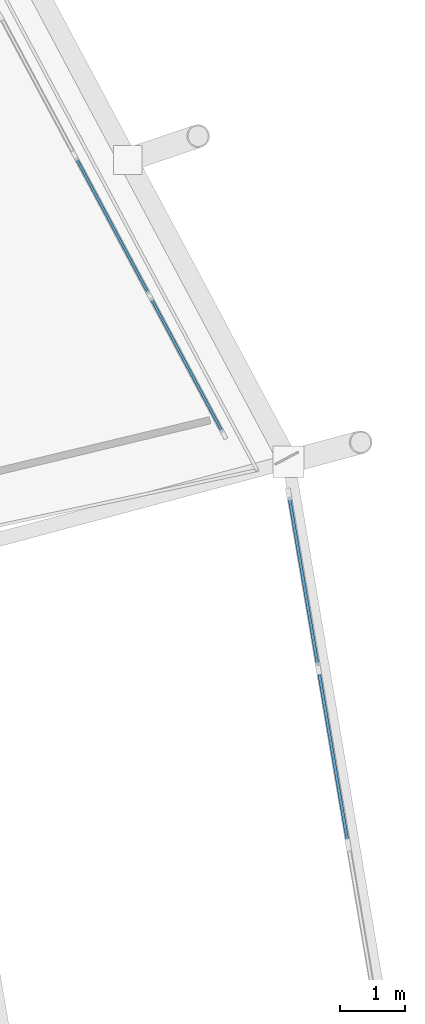
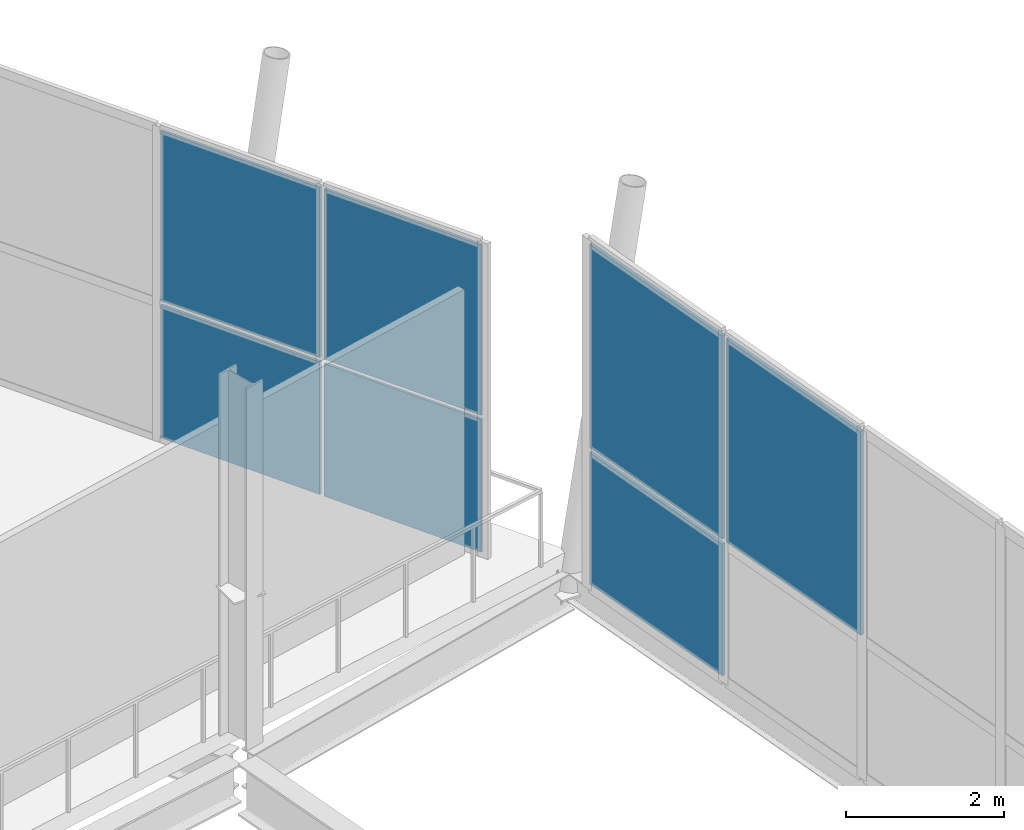
# One storey, part 59 of 99: 7 plates, 2 elements without a shape of their own.
"""IFC4 building model written with IfcOpenShell, lengths in metres."""

from ifc_helpers import new_model, si_unit, direction, frame, origin, origin_2d, place, context, subcontext, project, spatial, rectangle, extrude, material, layer, layer_set, type_object, element, aggregate, save


model = new_model("IFC4")

# Units and contexts
model_context = context("Model", 3, precision=1e-05, world=origin(), true_north=direction((0.0, 1.0)))
body_context = subcontext(model_context, "Body", "Model", "MODEL_VIEW")
ifc_project = project(units=[si_unit("LENGTHUNIT", "METRE"), si_unit("AREAUNIT", "SQUARE_METRE"), si_unit("VOLUMEUNIT", "CUBIC_METRE"), si_unit("PLANEANGLEUNIT", "RADIAN"), si_unit("MASSUNIT", "GRAM", prefix="KILO")], contexts=[model_context])

# Site, building, storey
site_placement = place(None, origin())
site = spatial("IfcSite", under=ifc_project, at=site_placement, CompositionType="ELEMENT")
building_placement = place(site_placement, origin())
building = spatial("IfcBuilding", under=site, at=building_placement, Name="Zlatoyarsky Gate Stadium", CompositionType="ELEMENT")
storey_placement = place(building_placement, frame((0.0, 0.0, 26.199951171875)))
storey = spatial("IfcBuildingStorey", under=building, at=storey_placement, Name="L05", CompositionType="ELEMENT", Elevation=26.199951171875)

# Curtain wall, plates
ifc_material_1 = material(Name="Thermally broken anodised aluminium curtain wall", Category="aluminium")
curtain_wall_type_1 = type_object("IfcCurtainWallType", Name="MONUMENTAL ARCHED GATE GLAZING UPPER", PredefinedType="USERDEFINED", material=ifc_material_1)
curtain_wall_1_placement = place(storey_placement, origin())
curtain_wall_1 = element("IfcCurtainWall", 1, at=curtain_wall_1_placement, inside=storey, type_object=curtain_wall_type_1, Name="Curtain wall CW-L05-00", ObjectType="ARCHED GATE GLAZING", PredefinedType="USERDEFINED")
ifc_material_2 = material(Name="Triple-glazed argon low-e architectural glass", Category="glass")
ifc_layer_1 = layer(ifc_material_2, 0.0458984375)
ifc_layer_set_1 = layer_set([ifc_layer_1], Name="Triple-glazed argon low-e architectural glass")
plate_type_1 = type_object("IfcPlateType", Name="ACOUSTIC LAMINATED GATE GLAZING PANEL 46", PredefinedType="CURTAIN_PANEL", material=ifc_layer_set_1)
plate_1_placement = place(storey_placement, frame((207.19580078125, 95.364013671875, 1.927490234375), z_axis=(0.0, 0.0, 1.0), x_axis=(-0.166995052945, 0.985957733522, 0.0)))
plate_1 = element("IfcPlate", 2, at=plate_1_placement, type_object=plate_type_1, Name="CW-AG2 panel 6.2", PredefinedType="CURTAIN_PANEL", context=body_context, shape_type="SweptSolid", body=[
    extrude(rectangle(XDim=2.676513671875, YDim=0.0458984375, at=origin_2d()), origin(), (0.0, 0.0, 1.0), 3.1474609375),
])
plate_2_placement = place(storey_placement, frame((206.739501953125, 98.058349609375, -0.18505859375), z_axis=(0.0, 0.0, 1.0), x_axis=(-0.166995052945, 0.985957733522, 0.0)))
plate_2 = element("IfcPlate", 3, at=plate_2_placement, type_object=plate_type_1, Name="CW-AG2 panel 7.1", PredefinedType="CURTAIN_PANEL", context=body_context, shape_type="SweptSolid", body=[
    extrude(rectangle(XDim=2.638916015625, YDim=0.0458984375, at=origin_2d()), origin(), (0.0, 0.0, 1.0), 2.03759765625),
])
plate_3_placement = place(storey_placement, frame((206.739501953125, 98.058349609375, 1.927490234375), z_axis=(0.0, 0.0, 1.0), x_axis=(-0.166995052945, 0.985957733522, 0.0)))
plate_3 = element("IfcPlate", 4, at=plate_3_placement, type_object=plate_type_1, Name="CW-AG2 panel 7.2", PredefinedType="CURTAIN_PANEL", context=body_context, shape_type="SweptSolid", body=[
    extrude(rectangle(XDim=2.638916015625, YDim=0.0458984375, at=origin_2d()), origin(), (0.0, 0.0, 1.0), 3.1474609375),
])
aggregate(curtain_wall_1, [plate_1, plate_2, plate_3])

curtain_wall_type_2 = type_object("IfcCurtainWallType", Name="UNITISED SKYBOX RING GLAZING L05", PredefinedType="USERDEFINED", material=ifc_material_1)
curtain_wall_2_placement = place(storey_placement, origin())
curtain_wall_2 = element("IfcCurtainWall", 5, at=curtain_wall_2_placement, inside=storey, type_object=curtain_wall_type_2, Name="Curtain wall CW-L05-01", ObjectType="UNITISED GLAZING", PredefinedType="USERDEFINED")
ifc_layer_2 = layer(ifc_material_2, 0.0380859375)
ifc_layer_set_2 = layer_set([ifc_layer_2], Name="Triple-glazed argon low-e architectural glass")
plate_type_2 = type_object("IfcPlateType", Name="TRIPLE GLAZED LOW E CURTAIN PANEL 38", PredefinedType="CURTAIN_PANEL", material=ifc_layer_set_2)
plate_4_placement = place(storey_placement, frame((204.9443359375, 101.380615234375, 0.06494140625), z_axis=(0.0, 0.0, 1.0), x_axis=(-0.470937199667, 0.882166738191, 0.0)))
plate_4 = element("IfcPlate", 6, at=plate_4_placement, type_object=plate_type_2, Name="CW-UG5 panel 1.1", PredefinedType="CURTAIN_PANEL", context=body_context, shape_type="SweptSolid", body=[
    extrude(rectangle(XDim=2.34326171875, YDim=0.0380859375, at=origin_2d()), origin(), (0.0, 0.0, 1.0), 2.052490234375),
])
plate_5_placement = place(storey_placement, frame((204.9443359375, 101.380615234375, 2.1826171875), z_axis=(0.0, 0.0, 1.0), x_axis=(-0.470937199667, 0.882166738191, 0.0)))
plate_5 = element("IfcPlate", 7, at=plate_5_placement, type_object=plate_type_2, Name="CW-UG5 panel 1.2", PredefinedType="CURTAIN_PANEL", context=body_context, shape_type="SweptSolid", body=[
    extrude(rectangle(XDim=2.34326171875, YDim=0.0380859375, at=origin_2d()), origin(), (0.0, 0.0, 1.0), 2.632568359375),
])
plate_6_placement = place(storey_placement, frame((203.802490234375, 103.51953125, 0.06494140625), z_axis=(0.0, 0.0, 1.0), x_axis=(-0.470937199667, 0.882166738191, 0.0)))
plate_6 = element("IfcPlate", 8, at=plate_6_placement, type_object=plate_type_2, Name="CW-UG5 panel 2.1", PredefinedType="CURTAIN_PANEL", context=body_context, shape_type="SweptSolid", body=[
    extrude(rectangle(XDim=2.375732421875, YDim=0.0380859375, at=origin_2d()), origin(), (0.0, 0.0, 1.0), 2.052490234375),
])
plate_7_placement = place(storey_placement, frame((203.802490234375, 103.51953125, 2.1826171875), z_axis=(0.0, 0.0, 1.0), x_axis=(-0.470937199667, 0.882166738191, 0.0)))
plate_7 = element("IfcPlate", 9, at=plate_7_placement, type_object=plate_type_2, Name="CW-UG5 panel 2.2", PredefinedType="CURTAIN_PANEL", context=body_context, shape_type="SweptSolid", body=[
    extrude(rectangle(XDim=2.375732421875, YDim=0.0380859375, at=origin_2d()), origin(), (0.0, 0.0, 1.0), 2.632568359375),
])
aggregate(curtain_wall_2, [plate_4, plate_5, plate_6, plate_7])

save(model, "model.ifc")
